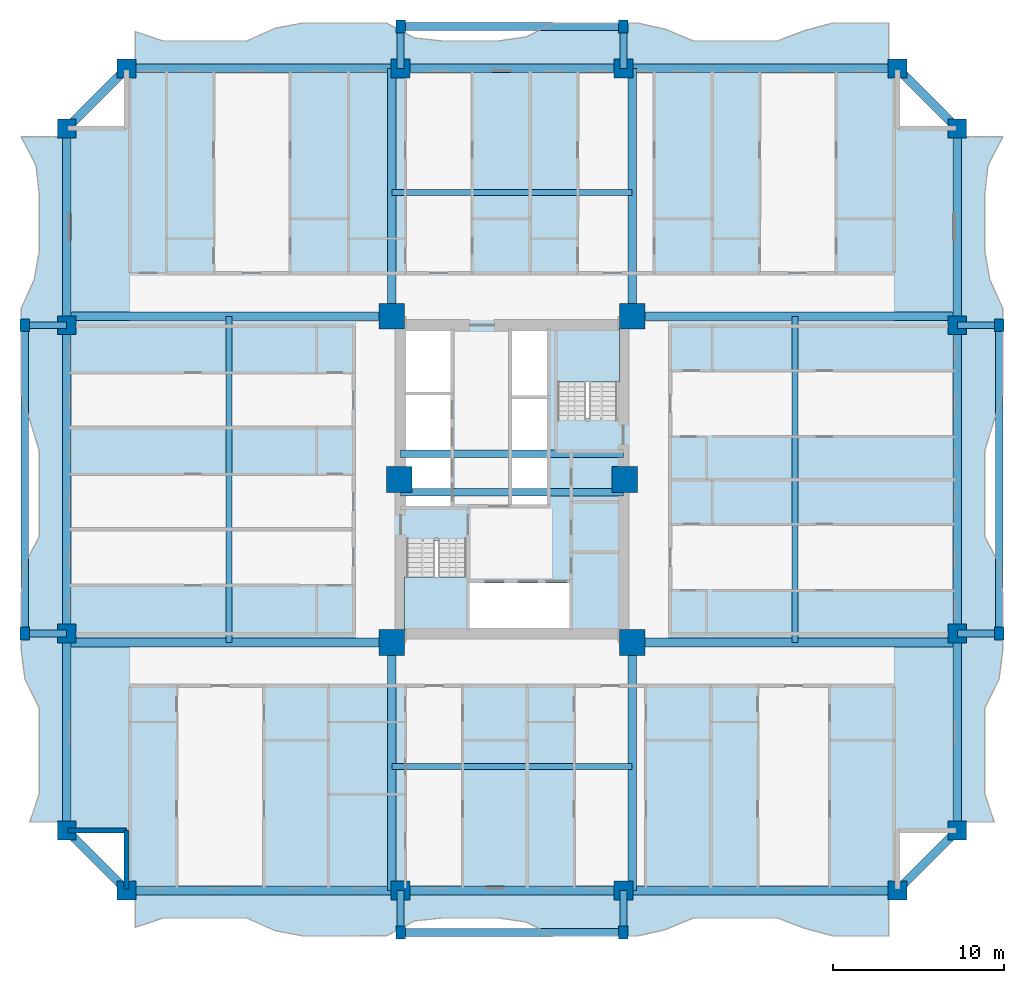
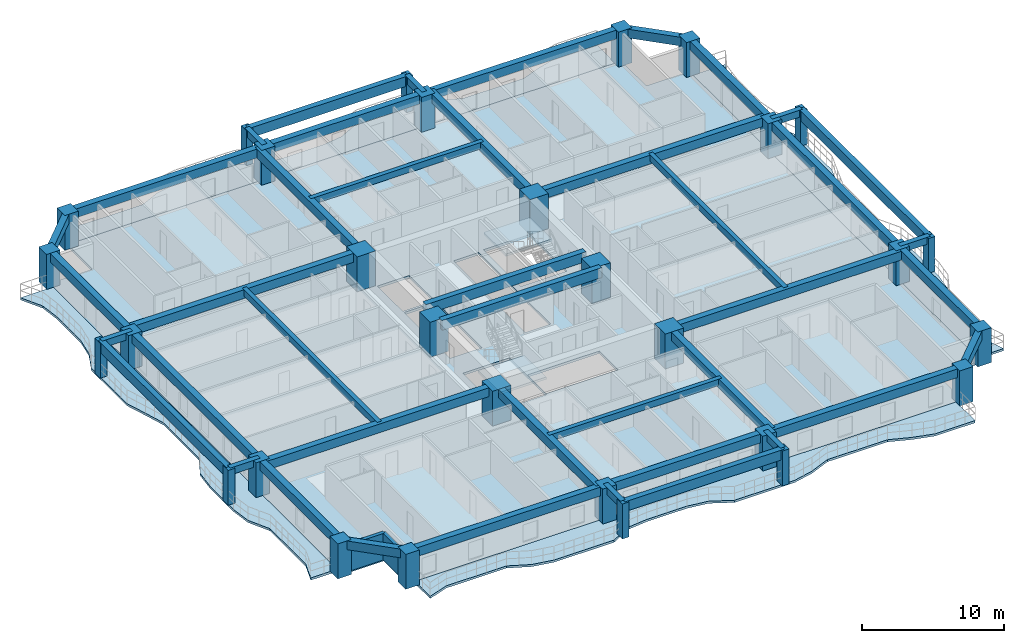
# One storey, part 1 of 16: 42 beams, 30 columns, 7 slabs, 2 walls, 2 elements without a shape of their own.
"""IFC4 building model written with IfcOpenShell, lengths in metres."""

from ifc_helpers import new_model, si_unit, direction, frame, frame_2d, origin, origin_2d, place, context, subcontext, project, spatial, polyline, rectangle, outline, extrude, source, transform, mapped, material, layer, layer_set, material_profile, profile_set, type_object, element, aggregate, save


model = new_model("IFC4")

# Units and contexts
model_context = context("Model", 3, precision=1e-05, world=origin(), true_north=direction((0.0, 1.0)))
body_context = subcontext(model_context, "Body", "Model", "MODEL_VIEW")
ifc_project = project(units=[si_unit("LENGTHUNIT", "METRE"), si_unit("AREAUNIT", "SQUARE_METRE"), si_unit("VOLUMEUNIT", "CUBIC_METRE"), si_unit("PLANEANGLEUNIT", "RADIAN"), si_unit("MASSUNIT", "GRAM", prefix="KILO")], contexts=[model_context])

# Site, building, storey
site_placement = place(None, origin())
site = spatial("IfcSite", under=ifc_project, at=site_placement, CompositionType="ELEMENT")
building_placement = place(site_placement, origin())
building = spatial("IfcBuilding", under=site, at=building_placement, Name="Saelheon Loggia Tower", CompositionType="ELEMENT")
storey_placement = place(building_placement, frame((0.0, 0.0, 28.39990234375)))
storey = spatial("IfcBuildingStorey", under=building, at=storey_placement, Name="L08", CompositionType="ELEMENT", Elevation=28.39990234375)

# Columns
ifc_material_1 = material(Name="Concrete C60/75", Category="concrete")
ifc_material_profile_1 = material_profile(ifc_material_1, rectangle(XDim=1.5, YDim=1.5, at=origin_2d()), Name="RC-1500x1500")
ifc_profile_set_1 = profile_set([ifc_material_profile_1], Name="Concrete C60/75")
column_type_1 = type_object("IfcColumnType", Name="Col_Core_RC1500", PredefinedType="COLUMN", material=ifc_profile_set_1)
shared_shape_1 = source(origin(), body_context, "Body", "SweptSolid", [
    extrude(rectangle(XDim=1.5, YDim=1.5, at=origin_2d()), origin(), (0.0, 0.0, 1.0), 3.0),
])
for number, where, z_axis, x_axis, name in (
    (1, (30.97998046875, 17.47998046875, 0.0), (0.0, 0.0, 1.0), (1.0, 0.0, 0.0), "L08 Core Column CR-SW"),
    (2, (45.02001953125, 17.47998046875, 0.0), (0.0, 0.0, 1.0), (1.0, 0.0, 0.0), "L08 Core Column CR-SE"),
    (3, (30.97998046875, 36.52001953125, 0.0), (0.0, 0.0, 1.0), (1.0, 0.0, 0.0), "L08 Core Column CR-NW"),
    (4, (45.02001953125, 36.52001953125, 0.0), (0.0, 0.0, 1.0), (1.0, 0.0, 0.0), "L08 Core Column CR-NE"),
    (5, (31.419921875, 27.0, 0.0), (0.0, 0.0, 1.0), (1.0, 0.0, 0.0), "L08 Core Column CR-MW"),
    (6, (44.580078125, 27.0, 0.0), (0.0, 0.0, 1.0), (1.0, 0.0, 0.0), "L08 Core Column CR-ME"),
):
    element("IfcColumn", number, at=place(storey_placement, frame(where, z_axis=z_axis, x_axis=x_axis)), inside=storey, type_object=column_type_1, Name=name, PredefinedType="COLUMN", context=body_context, shape_type="MappedRepresentation", body=[
        mapped(shared_shape_1, transform((0.0, 0.0, 0.0), scale=1.0)),
    ])
ifc_material_2 = material(Name="Concrete C50/60", Category="concrete")
ifc_material_profile_2 = material_profile(ifc_material_2, rectangle(XDim=1.10009765625, YDim=1.10009765625, at=origin_2d()), Name="RC-1100x1100")
ifc_profile_set_2 = profile_set([ifc_material_profile_2], Name="Concrete C50/60")
column_type_2 = type_object("IfcColumnType", Name="Col_PerimExt_RC1100", PredefinedType="COLUMN", material=ifc_profile_set_2)
shared_shape_2 = source(origin(), body_context, "Body", "SweptSolid", [
    extrude(rectangle(XDim=1.10009765625, YDim=1.10009765625, at=origin_2d()), origin(), (0.0, 0.0, 1.0), 3.0),
])
for number, where, z_axis, x_axis, name in (
    (7, (15.5, 3.0, 0.0), (0.0, 0.0, 1.0), (1.0, 0.0, 0.0), "L08 Perimeter Column TP-S1"),
    (8, (31.5, 3.0, 0.0), (0.0, 0.0, 1.0), (1.0, 0.0, 0.0), "L08 Perimeter Column TP-SA"),
    (9, (44.5, 3.0, 0.0), (0.0, 0.0, 1.0), (1.0, 0.0, 0.0), "L08 Perimeter Column TP-SB"),
    (10, (60.5, 3.0, 0.0), (0.0, 0.0, 1.0), (1.0, 0.0, 0.0), "L08 Perimeter Column TP-S2"),
    (11, (64.0, 6.5, 0.0), (0.0, 0.0, 1.0), (1.0, 0.0, 0.0), "L08 Perimeter Column TP-E1"),
    (12, (64.0, 18.0, 0.0), (0.0, 0.0, 1.0), (1.0, 0.0, 0.0), "L08 Perimeter Column TP-EA"),
    (13, (64.0, 36.0, 0.0), (0.0, 0.0, 1.0), (1.0, 0.0, 0.0), "L08 Perimeter Column TP-EB"),
    (14, (64.0, 47.5, 0.0), (0.0, 0.0, 1.0), (1.0, 0.0, 0.0), "L08 Perimeter Column TP-E2"),
    (15, (60.5, 51.0, 0.0), (0.0, 0.0, 1.0), (1.0, 0.0, 0.0), "L08 Perimeter Column TP-N2"),
    (16, (44.5, 51.0, 0.0), (0.0, 0.0, 1.0), (1.0, 0.0, 0.0), "L08 Perimeter Column TP-NB"),
    (17, (31.5, 51.0, 0.0), (0.0, 0.0, 1.0), (1.0, 0.0, 0.0), "L08 Perimeter Column TP-NA"),
    (18, (15.5, 51.0, 0.0), (0.0, 0.0, 1.0), (1.0, 0.0, 0.0), "L08 Perimeter Column TP-N1"),
    (19, (12.0, 47.5, 0.0), (0.0, 0.0, 1.0), (1.0, 0.0, 0.0), "L08 Perimeter Column TP-W2"),
    (20, (12.0, 36.0, 0.0), (0.0, 0.0, 1.0), (1.0, 0.0, 0.0), "L08 Perimeter Column TP-WB"),
    (21, (12.0, 18.0, 0.0), (0.0, 0.0, 1.0), (1.0, 0.0, 0.0), "L08 Perimeter Column TP-WA"),
    (22, (12.0, 6.5, 0.0), (0.0, 0.0, 1.0), (1.0, 0.0, 0.0), "L08 Perimeter Column TP-W1"),
):
    element("IfcColumn", number, at=place(storey_placement, frame(where, z_axis=z_axis, x_axis=x_axis)), inside=storey, type_object=column_type_2, Name=name, PredefinedType="COLUMN", context=body_context, shape_type="MappedRepresentation", body=[
        mapped(shared_shape_2, transform((0.0, 0.0, 0.0), scale=1.0)),
    ])
ifc_material_3 = material(Name="Precast Concrete C45/55", Category="concrete")
ifc_material_profile_3 = material_profile(ifc_material_3, rectangle(XDim=0.550048828125, YDim=0.75, at=origin_2d()), Name="RC-550x750")
ifc_profile_set_3 = profile_set([ifc_material_profile_3], Name="Precast Concrete C45/55")
column_type_3 = type_object("IfcColumnType", Name="Col_Loggia_Pilaster_750", PredefinedType="PILASTER", material=ifc_profile_set_3)
shared_shape_3 = source(origin(), body_context, "Body", "SweptSolid", [
    extrude(rectangle(XDim=0.550048828125, YDim=0.75, at=origin_2d()), origin(), (0.0, 0.0, 1.0), 3.0),
])
for number, where, z_axis, x_axis, name in (
    (23, (31.5, 0.550048828125, 0.0), (0.0, 0.0, 1.0), (1.0, 0.0, 0.0), "L08 Loggia Frame Pilaster LP-S1"),
    (24, (44.5, 0.550048828125, 0.0), (0.0, 0.0, 1.0), (1.0, 0.0, 0.0), "L08 Loggia Frame Pilaster LP-S2"),
    (25, (31.5, 53.449951171875, 0.0), (0.0, 0.0, 1.0), (1.0, 0.0, 0.0), "L08 Loggia Frame Pilaster LP-N1"),
    (26, (44.5, 53.449951171875, 0.0), (0.0, 0.0, 1.0), (1.0, 0.0, 0.0), "L08 Loggia Frame Pilaster LP-N2"),
    (27, (66.449951171875, 18.0, 0.0), (0.0, 0.0, 1.0), (1.0, 0.0, 0.0), "L08 Loggia Frame Pilaster LP-E1"),
    (28, (66.449951171875, 36.0, 0.0), (0.0, 0.0, 1.0), (1.0, 0.0, 0.0), "L08 Loggia Frame Pilaster LP-E2"),
    (29, (9.550048828125, 18.0, 0.0), (0.0, 0.0, 1.0), (1.0, 0.0, 0.0), "L08 Loggia Frame Pilaster LP-W1"),
    (30, (9.550048828125, 36.0, 0.0), (0.0, 0.0, 1.0), (1.0, 0.0, 0.0), "L08 Loggia Frame Pilaster LP-W2"),
):
    element("IfcColumn", number, at=place(storey_placement, frame(where, z_axis=z_axis, x_axis=x_axis)), inside=storey, type_object=column_type_3, Name=name, PredefinedType="PILASTER", context=body_context, shape_type="MappedRepresentation", body=[
        mapped(shared_shape_3, transform((0.0, 0.0, 0.0), scale=1.0)),
    ])

# Beams
ifc_material_profile_4 = material_profile(ifc_material_2, rectangle(XDim=0.449951171875, YDim=0.85009765625, at=origin_2d()), Name="RC-450x850")
ifc_profile_set_4 = profile_set([ifc_material_profile_4], Name="Concrete C50/60")
beam_type_1 = type_object("IfcBeamType", Name="Beam_CoreLintel_RC450x850", PredefinedType="LINTEL", material=ifc_profile_set_4)
shared_shape_4 = source(origin(), body_context, "Body", "SweptSolid", [
    extrude(rectangle(XDim=0.449951171875, YDim=0.85009765625, at=origin_2d()), origin(), (0.0, 0.0, 1.0), 13.0),
])
for number, where, z_axis, x_axis, name in (
    (31, (31.5, 26.25, 2.5751953125), (1.0, 0.0, 0.0), (0.0, 1.0, 0.0), "L08 Core Coupling Lintel 1"),
    (32, (31.5, 28.5, 2.5751953125), (1.0, 0.0, 0.0), (0.0, 1.0, 0.0), "L08 Core Coupling Lintel 2"),
):
    element("IfcBeam", number, at=place(storey_placement, frame(where, z_axis=z_axis, x_axis=x_axis)), inside=storey, type_object=beam_type_1, Name=name, PredefinedType="LINTEL", context=body_context, shape_type="MappedRepresentation", body=[
        mapped(shared_shape_4, transform((0.0, 0.0, 0.0), scale=1.0)),
    ])
ifc_material_profile_5 = material_profile(ifc_material_3, rectangle(XDim=0.449951171875, YDim=0.85009765625, at=origin_2d()), Name="RC-450x850")
ifc_profile_set_5 = profile_set([ifc_material_profile_5], Name="Precast Concrete C45/55")
beam_type_2 = type_object("IfcBeamType", Name="Beam_LoggiaSpandrel_RC450x850", PredefinedType="SPANDREL", material=ifc_profile_set_5)
for number, where, z_axis, x_axis, name in (
    (33, (31.5, 0.550048828125, 2.5751953125), (1.0, 0.0, 0.0), (0.0, 1.0, 0.0), "L08 Loggia Spandrel Beam S"),
    (34, (31.5, 53.449951171875, 2.5751953125), (1.0, 0.0, 0.0), (0.0, 1.0, 0.0), "L08 Loggia Spandrel Beam N"),
):
    element("IfcBeam", number, at=place(storey_placement, frame(where, z_axis=z_axis, x_axis=x_axis)), inside=storey, type_object=beam_type_2, Name=name, PredefinedType="SPANDREL", context=body_context, shape_type="MappedRepresentation", body=[
        mapped(shared_shape_4, transform((0.0, 0.0, 0.0), scale=1.0)),
    ])
ifc_material_4 = material(Name="Concrete C45/55", Category="concrete")
ifc_material_profile_6 = material_profile(ifc_material_4, rectangle(XDim=0.5, YDim=0.75, at=origin_2d()), Name="RC-500x750")
ifc_profile_set_6 = profile_set([ifc_material_profile_6], Name="Concrete C45/55")
beam_type_3 = type_object("IfcBeamType", Name="Beam_FloorGirder_RC500x750", PredefinedType="BEAM", material=ifc_profile_set_6)
shared_shape_5 = source(origin(), body_context, "Body", "SweptSolid", [
    extrude(rectangle(XDim=0.5, YDim=0.75, at=origin_2d()), origin(), (0.0, 0.0, 1.0), 14.47998046875),
])
for number, where, z_axis, x_axis, name in (
    (35, (30.97998046875, 17.47998046875, 2.625), (0.0, -1.0, 0.0), (1.0, 0.0, 0.0), "L08 Radial Floor Girder RAD-SW-S"),
    (36, (45.02001953125, 17.47998046875, 2.625), (0.0, -1.0, 0.0), (1.0, 0.0, 0.0), "L08 Radial Floor Girder RAD-SE-S"),
    (37, (30.97998046875, 36.52001953125, 2.625), (0.0, 1.0, 0.0), (-1.0, 0.0, 0.0), "L08 Radial Floor Girder RAD-NW-N"),
    (38, (45.02001953125, 36.52001953125, 2.625), (0.0, 1.0, 0.0), (-1.0, 0.0, 0.0), "L08 Radial Floor Girder RAD-NE-N"),
):
    element("IfcBeam", number, at=place(storey_placement, frame(where, z_axis=z_axis, x_axis=x_axis)), inside=storey, type_object=beam_type_3, Name=name, PredefinedType="BEAM", context=body_context, shape_type="MappedRepresentation", body=[
        mapped(shared_shape_5, transform((0.0, 0.0, 0.0), scale=1.0)),
    ])
ifc_material_profile_7 = material_profile(ifc_material_4, rectangle(XDim=0.5, YDim=0.75, at=origin_2d()), Name="RC-500x750")
ifc_profile_set_7 = profile_set([ifc_material_profile_7], Name="Concrete C45/55")
beam_type_4 = type_object("IfcBeamType", Name="Beam_PerimGirder_RC500x750", PredefinedType="BEAM", material=ifc_profile_set_7)
shared_shape_6 = source(origin(), body_context, "Body", "SweptSolid", [
    extrude(rectangle(XDim=0.5, YDim=0.75, at=origin_2d()), origin(), (0.0, 0.0, 1.0), 16.0),
])
for number, where, z_axis, x_axis, name in (
    (39, (15.5, 3.0, 2.625), (1.0, 0.0, 0.0), (0.0, 1.0, 0.0), "L08 Perimeter Frame Girder 01"),
    (40, (44.5, 3.0, 2.625), (1.0, 0.0, 0.0), (0.0, 1.0, 0.0), "L08 Perimeter Frame Girder 03"),
    (41, (60.5, 51.0, 2.625), (-1.0, 0.0, 0.0), (0.0, -1.0, 0.0), "L08 Perimeter Frame Girder 09"),
    (42, (31.5, 51.0, 2.625), (-1.0, 0.0, 0.0), (0.0, -1.0, 0.0), "L08 Perimeter Frame Girder 11"),
):
    element("IfcBeam", number, at=place(storey_placement, frame(where, z_axis=z_axis, x_axis=x_axis)), inside=storey, type_object=beam_type_4, Name=name, PredefinedType="BEAM", context=body_context, shape_type="MappedRepresentation", body=[
        mapped(shared_shape_6, transform((0.0, 0.0, 0.0), scale=1.0)),
    ])
shared_shape_7 = source(origin(), body_context, "Body", "SweptSolid", [
    extrude(rectangle(XDim=0.5, YDim=0.75, at=origin_2d()), origin(), (0.0, 0.0, 1.0), 13.0),
])
for number, where, z_axis, x_axis, name in (
    (43, (31.5, 3.0, 2.625), (1.0, 0.0, 0.0), (0.0, 1.0, 0.0), "L08 Perimeter Frame Girder 02"),
    (44, (44.5, 51.0, 2.625), (-1.0, 0.0, 0.0), (0.0, -1.0, 0.0), "L08 Perimeter Frame Girder 10"),
):
    element("IfcBeam", number, at=place(storey_placement, frame(where, z_axis=z_axis, x_axis=x_axis)), inside=storey, type_object=beam_type_4, Name=name, PredefinedType="BEAM", context=body_context, shape_type="MappedRepresentation", body=[
        mapped(shared_shape_7, transform((0.0, 0.0, 0.0), scale=1.0)),
    ])
shared_shape_8 = source(origin(), body_context, "Body", "SweptSolid", [
    extrude(rectangle(XDim=0.5, YDim=0.75, at=origin_2d()), origin(), (0.0, 0.0, 1.0), 4.94970703125),
])
for number, where, z_axis, x_axis, name in (
    (45, (60.5, 3.0, 2.625), (0.707106781187, 0.707106781187, 0.0), (-0.707106781187, 0.707106781187, 0.0), "L08 Perimeter Frame Girder 04"),
    (46, (64.0, 47.5, 2.625), (-0.707106781187, 0.707106781187, 0.0), (-0.707106781187, -0.707106781187, 0.0), "L08 Perimeter Frame Girder 08"),
    (47, (15.5, 51.0, 2.625), (-0.707106781187, -0.707106781187, 0.0), (0.707106781187, -0.707106781187, 0.0), "L08 Perimeter Frame Girder 12"),
    (48, (12.0, 6.5, 2.625), (0.707106781187, -0.707106781187, 0.0), (0.707106781187, 0.707106781187, 0.0), "L08 Perimeter Frame Girder 16"),
):
    element("IfcBeam", number, at=place(storey_placement, frame(where, z_axis=z_axis, x_axis=x_axis)), inside=storey, type_object=beam_type_4, Name=name, PredefinedType="BEAM", context=body_context, shape_type="MappedRepresentation", body=[
        mapped(shared_shape_8, transform((0.0, 0.0, 0.0), scale=1.0)),
    ])
shared_shape_9 = source(origin(), body_context, "Body", "SweptSolid", [
    extrude(rectangle(XDim=0.5, YDim=0.75, at=origin_2d()), origin(), (0.0, 0.0, 1.0), 11.5),
])
for number, where, z_axis, x_axis, name in (
    (49, (64.0, 6.5, 2.625), (0.0, 1.0, 0.0), (-1.0, 0.0, 0.0), "L08 Perimeter Frame Girder 05"),
    (50, (64.0, 36.0, 2.625), (0.0, 1.0, 0.0), (-1.0, 0.0, 0.0), "L08 Perimeter Frame Girder 07"),
    (51, (12.0, 47.5, 2.625), (0.0, -1.0, 0.0), (1.0, 0.0, 0.0), "L08 Perimeter Frame Girder 13"),
    (52, (12.0, 18.0, 2.625), (0.0, -1.0, 0.0), (1.0, 0.0, 0.0), "L08 Perimeter Frame Girder 15"),
):
    element("IfcBeam", number, at=place(storey_placement, frame(where, z_axis=z_axis, x_axis=x_axis)), inside=storey, type_object=beam_type_4, Name=name, PredefinedType="BEAM", context=body_context, shape_type="MappedRepresentation", body=[
        mapped(shared_shape_9, transform((0.0, 0.0, 0.0), scale=1.0)),
    ])
shared_shape_10 = source(origin(), body_context, "Body", "SweptSolid", [
    extrude(rectangle(XDim=0.5, YDim=0.75, at=origin_2d()), origin(), (0.0, 0.0, 1.0), 18.0),
])
for number, where, z_axis, x_axis, name in (
    (53, (64.0, 18.0, 2.625), (0.0, 1.0, 0.0), (-1.0, 0.0, 0.0), "L08 Perimeter Frame Girder 06"),
    (54, (12.0, 36.0, 2.625), (0.0, -1.0, 0.0), (1.0, 0.0, 0.0), "L08 Perimeter Frame Girder 14"),
):
    element("IfcBeam", number, at=place(storey_placement, frame(where, z_axis=z_axis, x_axis=x_axis)), inside=storey, type_object=beam_type_4, Name=name, PredefinedType="BEAM", context=body_context, shape_type="MappedRepresentation", body=[
        mapped(shared_shape_10, transform((0.0, 0.0, 0.0), scale=1.0)),
    ])
shared_shape_11 = source(origin(), body_context, "Body", "SweptSolid", [
    extrude(rectangle(XDim=0.5, YDim=0.75, at=origin_2d()), origin(), (0.0, 0.0, 1.0), 18.97998046875),
])
for number, where, z_axis, x_axis, name in (
    (55, (30.97998046875, 17.47998046875, 2.625), (-1.0, 0.0, 0.0), (0.0, -1.0, 0.0), "L08 Radial Floor Girder RAD-SW-W"),
    (56, (30.97998046875, 36.52001953125, 2.625), (-1.0, 0.0, 0.0), (0.0, -1.0, 0.0), "L08 Radial Floor Girder RAD-NW-W"),
    (57, (45.02001953125, 17.47998046875, 2.625), (1.0, 0.0, 0.0), (0.0, 1.0, 0.0), "L08 Radial Floor Girder RAD-SE-E"),
    (58, (45.02001953125, 36.52001953125, 2.625), (1.0, 0.0, 0.0), (0.0, 1.0, 0.0), "L08 Radial Floor Girder RAD-NE-E"),
):
    element("IfcBeam", number, at=place(storey_placement, frame(where, z_axis=z_axis, x_axis=x_axis)), inside=storey, type_object=beam_type_3, Name=name, PredefinedType="BEAM", context=body_context, shape_type="MappedRepresentation", body=[
        mapped(shared_shape_11, transform((0.0, 0.0, 0.0), scale=1.0)),
    ])
ifc_material_5 = material(Name="Concrete C40/50", Category="concrete")
ifc_material_profile_8 = material_profile(ifc_material_5, rectangle(XDim=0.35009765625, YDim=0.550048828125, at=origin_2d()), Name="RC-350x550")
ifc_profile_set_8 = profile_set([ifc_material_profile_8], Name="Concrete C40/50")
beam_type_5 = type_object("IfcBeamType", Name="Beam_Joist_RC350x550", PredefinedType="JOIST", material=ifc_profile_set_8)
shared_shape_12 = source(origin(), body_context, "Body", "SweptSolid", [
    extrude(rectangle(XDim=0.35009765625, YDim=0.550048828125, at=origin_2d()), origin(), (0.0, 0.0, 1.0), 14.0400390625),
])
for number, where, z_axis, x_axis, name in (
    (59, (30.97998046875, 10.239990234375, 2.72509765625), (1.0, 0.0, 0.0), (0.0, 1.0, 0.0), "L08 South Floor Joist"),
    (60, (30.97998046875, 43.760009765625, 2.72509765625), (1.0, 0.0, 0.0), (0.0, 1.0, 0.0), "L08 North Floor Joist"),
):
    element("IfcBeam", number, at=place(storey_placement, frame(where, z_axis=z_axis, x_axis=x_axis)), inside=storey, type_object=beam_type_5, Name=name, PredefinedType="JOIST", context=body_context, shape_type="MappedRepresentation", body=[
        mapped(shared_shape_12, transform((0.0, 0.0, 0.0), scale=1.0)),
    ])
shared_shape_13 = source(origin(), body_context, "Body", "SweptSolid", [
    extrude(rectangle(XDim=0.35009765625, YDim=0.550048828125, at=origin_2d()), origin(), (0.0, 0.0, 1.0), 19.0400390625),
])
for number, where, z_axis, x_axis, name in (
    (61, (21.489990234375, 17.47998046875, 2.72509765625), (0.0, 1.0, 0.0), (-1.0, 0.0, 0.0), "L08 West Floor Joist"),
    (62, (54.510009765625, 17.47998046875, 2.72509765625), (0.0, 1.0, 0.0), (-1.0, 0.0, 0.0), "L08 East Floor Joist"),
):
    element("IfcBeam", number, at=place(storey_placement, frame(where, z_axis=z_axis, x_axis=x_axis)), inside=storey, type_object=beam_type_5, Name=name, PredefinedType="JOIST", context=body_context, shape_type="MappedRepresentation", body=[
        mapped(shared_shape_13, transform((0.0, 0.0, 0.0), scale=1.0)),
    ])
ifc_material_profile_9 = material_profile(ifc_material_3, rectangle(XDim=0.39990234375, YDim=0.60009765625, at=origin_2d()), Name="RC-400x600")
ifc_profile_set_9 = profile_set([ifc_material_profile_9], Name="Precast Concrete C45/55")
beam_type_6 = type_object("IfcBeamType", Name="Beam_LoggiaTie_RC400x600", PredefinedType="BEAM", material=ifc_profile_set_9)
shared_shape_14 = source(origin(), body_context, "Body", "SweptSolid", [
    extrude(rectangle(XDim=0.39990234375, YDim=0.60009765625, at=origin_2d()), origin(), (0.0, 0.0, 1.0), 2.449951171875),
])
for number, where, z_axis, x_axis, name in (
    (63, (31.5, 3.0, 2.7001953125), (0.0, -1.0, 0.0), (1.0, 0.0, 0.0), "L08 Loggia Frame Tie Beam LP-S1"),
    (64, (44.5, 3.0, 2.7001953125), (0.0, -1.0, 0.0), (1.0, 0.0, 0.0), "L08 Loggia Frame Tie Beam LP-S2"),
    (65, (31.5, 51.0, 2.7001953125), (0.0, 1.0, 0.0), (-1.0, 0.0, 0.0), "L08 Loggia Frame Tie Beam LP-N1"),
    (66, (44.5, 51.0, 2.7001953125), (0.0, 1.0, 0.0), (-1.0, 0.0, 0.0), "L08 Loggia Frame Tie Beam LP-N2"),
    (67, (64.0, 18.0, 2.7001953125), (1.0, 0.0, 0.0), (0.0, 1.0, 0.0), "L08 Loggia Frame Tie Beam LP-E1"),
    (68, (64.0, 36.0, 2.7001953125), (1.0, 0.0, 0.0), (0.0, 1.0, 0.0), "L08 Loggia Frame Tie Beam LP-E2"),
    (69, (12.0, 18.0, 2.7001953125), (-1.0, 0.0, 0.0), (0.0, -1.0, 0.0), "L08 Loggia Frame Tie Beam LP-W1"),
    (70, (12.0, 36.0, 2.7001953125), (-1.0, 0.0, 0.0), (0.0, -1.0, 0.0), "L08 Loggia Frame Tie Beam LP-W2"),
):
    element("IfcBeam", number, at=place(storey_placement, frame(where, z_axis=z_axis, x_axis=x_axis)), inside=storey, type_object=beam_type_6, Name=name, PredefinedType="BEAM", context=body_context, shape_type="MappedRepresentation", body=[
        mapped(shared_shape_14, transform((0.0, 0.0, 0.0), scale=1.0)),
    ])
shared_shape_15 = source(origin(), body_context, "Body", "SweptSolid", [
    extrude(rectangle(XDim=0.449951171875, YDim=0.85009765625, at=origin_2d()), origin(), (0.0, 0.0, 1.0), 18.0),
])
for number, where, z_axis, x_axis, name in (
    (71, (66.449951171875, 18.0, 2.5751953125), (0.0, 1.0, 0.0), (-1.0, 0.0, 0.0), "L08 Loggia Spandrel Beam E"),
    (72, (9.550048828125, 18.0, 2.5751953125), (0.0, 1.0, 0.0), (-1.0, 0.0, 0.0), "L08 Loggia Spandrel Beam W"),
):
    element("IfcBeam", number, at=place(storey_placement, frame(where, z_axis=z_axis, x_axis=x_axis)), inside=storey, type_object=beam_type_2, Name=name, PredefinedType="SPANDREL", context=body_context, shape_type="MappedRepresentation", body=[
        mapped(shared_shape_15, transform((0.0, 0.0, 0.0), scale=1.0)),
    ])

# Slabs
ifc_layer_1 = layer(ifc_material_3, 0.18994140625)
ifc_layer_set_1 = layer_set([ifc_layer_1], Name="Precast Concrete C45/55")
slab_type_1 = type_object("IfcSlabType", Name="Slab_Loggia_Ext_190", PredefinedType="FLOOR", material=ifc_layer_set_1)
slab_1_placement = place(storey_placement, frame((0.0, 0.0, -0.18994140625)))
element("IfcSlab", 73, at=slab_1_placement, inside=storey, type_object=slab_type_1, Name="L08 Loggia Balcony Slab S", PredefinedType="FLOOR", context=body_context, shape_type="SweptSolid", body=[
    extrude(outline(polyline([(16.0, 0.85009765625), (17.629638671875, 1.39990234375), (19.25927734375, 1.39990234375), (20.888916015625, 1.39990234375), (22.5185546875, 1.39990234375), (24.148193359375, 0.661376953125), (25.77783203125, 0.35009765625), (27.407470703125, 0.35009765625), (29.037109375, 0.35009765625), (30.666748046875, 0.3544921875), (32.29638671875, 1.2236328125), (33.92578125, 1.39990234375), (35.5556640625, 1.39990234375), (37.185302734375, 1.39990234375), (38.814697265625, 1.165283203125), (40.4443359375, 0.35009765625), (42.07421875, 0.35009765625), (43.70361328125, 0.35009765625), (45.333251953125, 0.35009765625), (46.962890625, 0.72119140625), (48.592529296875, 1.39990234375), (50.22216796875, 1.39990234375), (51.851806640625, 1.39990234375), (53.4814453125, 1.39990234375), (55.111083984375, 0.78955078125), (56.74072265625, 0.35009765625), (58.370361328125, 0.35009765625), (60.0, 0.35009765625), (60.0, 3.0), (16.0, 3.0), (16.0, 0.85009765625)])), origin(), (0.0, 0.0, 1.0), 0.18994140625),
])
slab_2_placement = place(storey_placement, frame((0.0, 0.0, -0.18994140625)))
element("IfcSlab", 74, at=slab_2_placement, inside=storey, type_object=slab_type_1, Name="L08 Loggia Balcony Slab N", PredefinedType="FLOOR", context=body_context, shape_type="SweptSolid", body=[
    extrude(outline(polyline([(16.0, 51.0), (60.0, 51.0), (60.0, 53.64990234375), (58.370361328125, 53.64990234375), (56.74072265625, 53.64990234375), (55.111083984375, 53.21044921875), (53.4814453125, 52.60009765625), (51.851806640625, 52.60009765625), (50.22216796875, 52.60009765625), (48.592529296875, 52.60009765625), (46.962890625, 53.27880859375), (45.333251953125, 53.64990234375), (43.70361328125, 53.64990234375), (42.07421875, 53.64990234375), (40.4443359375, 53.64990234375), (38.814697265625, 52.834716796875), (37.185302734375, 52.60009765625), (35.5556640625, 52.60009765625), (33.92578125, 52.60009765625), (32.29638671875, 52.7763671875), (30.666748046875, 53.6455078125), (29.037109375, 53.64990234375), (27.407470703125, 53.64990234375), (25.77783203125, 53.64990234375), (24.148193359375, 53.338623046875), (22.5185546875, 52.60009765625), (20.888916015625, 52.60009765625), (19.25927734375, 52.60009765625), (17.629638671875, 52.60009765625), (16.0, 53.14990234375), (16.0, 51.0)])), origin(), (0.0, 0.0, 1.0), 0.18994140625),
])
slab_3_placement = place(storey_placement, frame((0.0, 0.0, -0.18994140625)))
element("IfcSlab", 75, at=slab_3_placement, inside=storey, type_object=slab_type_1, Name="L08 Loggia Balcony Slab E", PredefinedType="FLOOR", context=body_context, shape_type="SweptSolid", body=[
    extrude(outline(polyline([(64.0, 7.0), (66.14990234375, 7.0), (65.60009765625, 8.666748046875), (65.60009765625, 10.333251953125), (65.60009765625, 12.0), (65.60009765625, 13.666748046875), (66.437744140625, 15.333251953125), (66.64990234375, 17.0), (66.64990234375, 18.666748046875), (66.64990234375, 20.333251953125), (66.47314453125, 22.0), (65.60009765625, 23.666748046875), (65.60009765625, 25.333251953125), (65.60009765625, 27.0), (65.60009765625, 28.666748046875), (66.11376953125, 30.333251953125), (66.64990234375, 32.0), (66.64990234375, 33.666748046875), (66.64990234375, 35.333251953125), (66.64990234375, 37.0), (65.897705078125, 38.666748046875), (65.60009765625, 40.333251953125), (65.60009765625, 42.0), (65.60009765625, 43.666748046875), (65.791748046875, 45.333251953125), (66.64990234375, 47.0), (64.0, 47.0), (64.0, 7.0)])), origin(), (0.0, 0.0, 1.0), 0.18994140625),
])
slab_4_placement = place(storey_placement, frame((0.0, 0.0, -0.18994140625)))
element("IfcSlab", 76, at=slab_4_placement, inside=storey, type_object=slab_type_1, Name="L08 Loggia Balcony Slab W", PredefinedType="FLOOR", context=body_context, shape_type="SweptSolid", body=[
    extrude(outline(polyline([(12.0, 7.0), (12.0, 47.0), (9.35009765625, 47.0), (10.208251953125, 45.333251953125), (10.39990234375, 43.666748046875), (10.39990234375, 42.0), (10.39990234375, 40.333251953125), (10.102294921875, 38.666748046875), (9.35009765625, 37.0), (9.35009765625, 35.333251953125), (9.35009765625, 33.666748046875), (9.35009765625, 32.0), (9.88623046875, 30.333251953125), (10.39990234375, 28.666748046875), (10.39990234375, 27.0), (10.39990234375, 25.333251953125), (10.39990234375, 23.666748046875), (9.52685546875, 22.0), (9.35009765625, 20.333251953125), (9.35009765625, 18.666748046875), (9.35009765625, 17.0), (9.562255859375, 15.333251953125), (10.39990234375, 13.666748046875), (10.39990234375, 12.0), (10.39990234375, 10.333251953125), (10.39990234375, 8.666748046875), (9.85009765625, 7.0), (12.0, 7.0)])), origin(), (0.0, 0.0, 1.0), 0.18994140625),
])

# Stair, slab
stair_type = type_object("IfcStairType", Name="Stair_Escape_Core", PredefinedType="HALF_TURN_STAIR", material=ifc_material_5)
stair_1_placement = place(storey_placement, origin())
stair_1 = element("IfcStair", 77, at=stair_1_placement, inside=storey, type_object=stair_type, Name="L08 Special Escape Stair ST1", PredefinedType="HALF_TURN_STAIR")
ifc_layer_2 = layer(ifc_material_5, 0.199951171875)
ifc_layer_set_2 = layer_set([ifc_layer_2], Name="Concrete C40/50")
slab_type_2 = type_object("IfcSlabType", Name="Slab_StairLanding_ST1", PredefinedType="LANDING", material=ifc_layer_set_2)
slab_5_placement = place(storey_placement, frame((0.0, 0.0, 1.300048828125)))
slab_5 = element("IfcSlab", 78, at=slab_5_placement, type_object=slab_type_2, Name="ST1 landing 1", PredefinedType="LANDING", context=body_context, shape_type="SweptSolid", body=[
    extrude(outline(polyline([(31.7099609375, 21.31005859375), (31.7099609375, 18.2099609375), (35.469970703125, 18.2099609375), (35.469970703125, 21.31005859375), (31.7099609375, 21.31005859375)])), origin(), (0.0, 0.0, 1.0), 0.199951171875),
])
aggregate(stair_1, [slab_5])

stair_2_placement = place(storey_placement, origin())
stair_2 = element("IfcStair", 79, at=stair_2_placement, inside=storey, type_object=stair_type, Name="L08 Special Escape Stair ST2", PredefinedType="HALF_TURN_STAIR")
ifc_layer_3 = layer(ifc_material_5, 0.199951171875)
ifc_layer_set_3 = layer_set([ifc_layer_3], Name="Concrete C40/50")
slab_type_3 = type_object("IfcSlabType", Name="Slab_StairLanding_ST2", PredefinedType="LANDING", material=ifc_layer_set_3)
slab_6_placement = place(storey_placement, frame((0.0, 0.0, 1.300048828125)))
slab_6 = element("IfcSlab", 80, at=slab_6_placement, type_object=slab_type_3, Name="ST2 landing 1", PredefinedType="LANDING", context=body_context, shape_type="SweptSolid", body=[
    extrude(outline(polyline([(44.2900390625, 32.68994140625), (44.2900390625, 35.7900390625), (40.530029296875, 35.7900390625), (40.530029296875, 32.68994140625), (44.2900390625, 32.68994140625)])), origin(), (0.0, 0.0, 1.0), 0.199951171875),
])
aggregate(stair_2, [slab_6])

# Slab
ifc_layer_4 = layer(ifc_material_5, 0.2099609375)
ifc_layer_set_4 = layer_set([ifc_layer_4], Name="Concrete C40/50")
slab_type_4 = type_object("IfcSlabType", Name="Slab_Tower_210", PredefinedType="FLOOR", material=ifc_layer_set_4)
slab_7_placement = place(storey_placement, frame((0.0, 0.0, -0.2099609375)))
element("IfcSlab", 81, at=slab_7_placement, inside=storey, type_object=slab_type_4, Name="L08 Tower Floor Slab", PredefinedType="FLOOR", context=body_context, shape_type="SweptSolid", body=[
    extrude(outline(polyline([(15.5, 3.0), (60.5, 3.0), (60.5, 6.5), (64.0, 6.5), (64.0, 47.5), (60.5, 47.5), (60.5, 51.0), (15.5, 51.0), (15.5, 47.5), (12.0, 47.5), (12.0, 6.5), (15.5, 6.5), (15.5, 3.0)]), holes=[polyline([(31.699951171875, 23.409912109375), (31.699951171875, 18.199951171875), (35.47998046875, 18.199951171875), (35.47998046875, 23.409912109375), (31.699951171875, 23.409912109375)]), polyline([(44.300048828125, 30.590087890625), (44.300048828125, 35.800048828125), (40.52001953125, 35.800048828125), (40.52001953125, 30.590087890625), (44.300048828125, 30.590087890625)]), polyline([(35.530029296875, 18.324951171875), (41.35009765625, 18.324951171875), (41.35009765625, 20.9599609375), (35.530029296875, 20.9599609375), (35.530029296875, 18.324951171875)]), polyline([(31.824951171875, 32.1201171875), (34.419921875, 32.1201171875), (34.419921875, 35.675048828125), (31.824951171875, 35.675048828125), (31.824951171875, 32.1201171875)]), polyline([(38.0, 31.89990234375), (40.050048828125, 31.89990234375), (40.050048828125, 35.675048828125), (38.0, 35.675048828125), (38.0, 31.89990234375)]), polyline([(31.824951171875, 25.449951171875), (34.419921875, 25.449951171875), (34.419921875, 31.919921875), (31.824951171875, 31.919921875), (31.824951171875, 25.449951171875)]), polyline([(38.0, 25.5400390625), (40.050048828125, 25.5400390625), (40.050048828125, 31.699951171875), (38.0, 31.699951171875), (38.0, 25.5400390625)])]), origin(), (0.0, 0.0, 1.0), 0.2099609375),
])

# Walls
ifc_material_6 = material(Name="Architectural Precast Concrete C40/50", Category="concrete")
ifc_layer_5 = layer(ifc_material_6, 0.280029296875)
ifc_layer_set_5 = layer_set([ifc_layer_5], Name="Architectural Precast Concrete C40/50")
wall_type = type_object("IfcWallType", Name="Wall_Ext_Loggia_280", PredefinedType="SOLIDWALL", material=ifc_layer_set_5)
for number, where, z_axis, x_axis, name in (
    (82, (15.5, 3.080078125, 0.0), (0.0, 0.0, 1.0), (0.0, 1.0, 0.0), "L08 Corner Notch Precast Wall SW1"),
    (83, (12.080078125, 6.5, 0.0), (0.0, 0.0, 1.0), (1.0, 0.0, 0.0), "L08 Corner Notch Precast Wall SW2"),
):
    element("IfcWall", number, at=place(storey_placement, frame(where, z_axis=z_axis, x_axis=x_axis)), inside=storey, type_object=wall_type, Name=name, PredefinedType="SOLIDWALL", context=body_context, shape_type="SweptSolid", body=[
        extrude(rectangle(XDim=3.419921875, YDim=0.280029296875, at=frame_2d((1.7099609375, 0.0))), origin(), (0.0, 0.0, 1.0), 2.280029296875),
    ])

save(model, "model.ifc")
